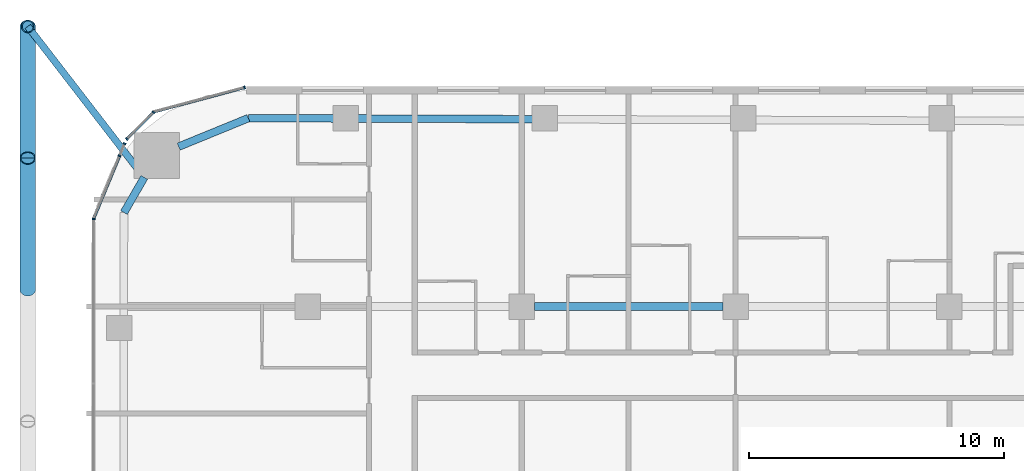
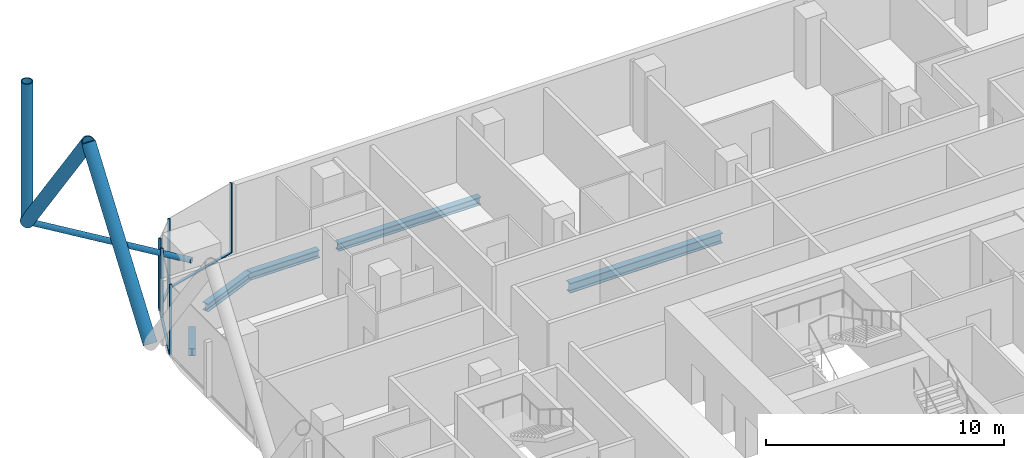
# One storey, part 10 of 35: 13 members, 5 beams, 5 elements without a shape of their own.
"""IFC4 building model written with IfcOpenShell, lengths in metres."""

from ifc_helpers import new_model, si_unit, direction, frame, origin, origin_2d, place, context, subcontext, project, spatial, rectangle, hollow_circle, i_section, extrude, material, layer, layer_set, material_profile, profile_set, type_object, element, aggregate, save


model = new_model("IFC4")

# Units and contexts
model_context = context("Model", 3, precision=1e-05, world=origin(), true_north=direction((0.0, 1.0)))
body_context = subcontext(model_context, "Body", "Model", "MODEL_VIEW")
ifc_project = project(units=[si_unit("LENGTHUNIT", "METRE"), si_unit("AREAUNIT", "SQUARE_METRE"), si_unit("VOLUMEUNIT", "CUBIC_METRE"), si_unit("PLANEANGLEUNIT", "RADIAN"), si_unit("MASSUNIT", "GRAM", prefix="KILO")], contexts=[model_context])

# Site, building, storey
site_placement = place(None, origin())
site = spatial("IfcSite", under=ifc_project, at=site_placement, CompositionType="ELEMENT")
building_placement = place(site_placement, origin())
building = spatial("IfcBuilding", under=site, at=building_placement, Name="Marenta Gate Hotel Tower", CompositionType="ELEMENT")
storey_placement = place(building_placement, frame((0.0, 0.0, 61.699951171875)))
storey = spatial("IfcBuildingStorey", under=building, at=storey_placement, Name="L13", CompositionType="ELEMENT", Elevation=61.699951171875)

# Members
ifc_material_1 = material(Name="Steel S355J2W", Category="steel")
ifc_material_profile_1 = material_profile(ifc_material_1, hollow_circle(Radius=0.25390625, WallThickness=0.0400390625, at=origin_2d()), Name="CHS 508x40")
ifc_profile_set_1 = profile_set([ifc_material_profile_1], Name="Steel S355J2W")
member_type_1 = type_object("IfcMemberType", Name="Diagrid corner post Z1 CHS 508x40", PredefinedType="POST", material=ifc_profile_set_1)
member_1_placement = place(storey_placement, frame((-32.0, 36.199951171875, 3.14013671875), z_axis=(0.0, 0.0, 1.0), x_axis=(1.0, 0.0, 0.0)))
element("IfcMember", 1, at=member_1_placement, inside=storey, type_object=member_type_1, Name="L13-DR-6", PredefinedType="POST", context=body_context, shape_type="SweptSolid", body=[
    extrude(hollow_circle(Radius=0.25390625, WallThickness=0.0400390625, at=origin_2d()), origin(), (0.0, 0.0, 1.0), 7.199951171875),
])
ifc_material_2 = material(Name="Steel S355J2W", Category="steel")
ifc_material_profile_2 = material_profile(ifc_material_2, hollow_circle(Radius=0.304931640625, WallThickness=0.0400390625, at=origin_2d()), Name="CHS 610x40")
ifc_profile_set_2 = profile_set([ifc_material_profile_2], Name="Steel S355J2W")
member_type_2 = type_object("IfcMemberType", Name="Diagrid diagonal Z1 CHS 610x40", PredefinedType="BRACE", material=ifc_profile_set_2)
for number, where, z_axis, x_axis, name in (
    (2, (-32.0, 25.860107421875, 3.14013671875), (0.0, 0.583260841117, 0.812284919975), (-1.0, 0.0, 0.0), "L13-DG-33"),
    (3, (-32.0, 36.199951171875, 3.14013671875), (0.0, -0.583260841117, 0.812284919975), (1.0, 0.0, 0.0), "L13-DG-34"),
):
    element("IfcMember", number, at=place(storey_placement, frame(where, z_axis=z_axis, x_axis=x_axis)), inside=storey, type_object=member_type_2, Name=name, PredefinedType="BRACE", context=body_context, shape_type="SweptSolid", body=[
        extrude(hollow_circle(Radius=0.304931640625, WallThickness=0.0400390625, at=origin_2d()), origin(), (0.0, 0.0, 1.0), 8.86376953125),
    ])

# Beams
ifc_material_3 = material(Name="Steel S355", Category="steel")
ifc_material_profile_3 = material_profile(ifc_material_3, i_section(OverallWidth=0.300048828125, OverallDepth=0.39990234375, WebThickness=0.013427734375, FlangeThickness=0.02392578125, FilletRadius=0.027099609375, at=origin_2d()), Name="HEB 400")
ifc_profile_set_3 = profile_set([ifc_material_profile_3], Name="Steel S355")
beam_type_1 = type_object("IfcBeamType", Name="Edge beam HEB 400", PredefinedType="SPANDREL", material=ifc_profile_set_3)
beam_1_placement = place(storey_placement, frame((-28.221435546875, 28.891845703125, -0.4599609375), z_axis=(0.500098681536, 0.865968422476, 0.0), x_axis=(-0.865968422476, 0.500098681536, 0.0)))
element("IfcBeam", 4, at=beam_1_placement, inside=storey, type_object=beam_type_1, Name="L13-EB-11", PredefinedType="SPANDREL", context=body_context, shape_type="SweptSolid", body=[
    extrude(i_section(OverallWidth=0.300048828125, OverallDepth=0.39990234375, WebThickness=0.013427734375, FlangeThickness=0.02392578125, FilletRadius=0.027099609375, at=origin_2d()), origin(), (0.0, 0.0, 1.0), 1.591552734375),
])
beam_2_placement = place(storey_placement, frame((-26.072509765625, 31.47998046875, -0.4599609375), z_axis=(0.925545641603, 0.378636059177, 0.0), x_axis=(-0.378636059177, 0.925545641603, 0.0)))
element("IfcBeam", 5, at=beam_2_placement, inside=storey, type_object=beam_type_1, Name="L13-EB-12", PredefinedType="SPANDREL", context=body_context, shape_type="SweptSolid", body=[
    extrude(i_section(OverallWidth=0.300048828125, OverallDepth=0.39990234375, WebThickness=0.013427734375, FlangeThickness=0.02392578125, FilletRadius=0.027099609375, at=origin_2d()), origin(), (0.0, 0.0, 1.0), 2.958251953125),
])
beam_3_placement = place(storey_placement, frame((-23.33447265625, 32.60009765625, -0.4599609375), z_axis=(0.999992894549, -0.00376972818, 0.0), x_axis=(0.00376972818, 0.999992894549, 0.0)))
element("IfcBeam", 6, at=beam_3_placement, inside=storey, type_object=beam_type_1, Name="L13-EB-13", PredefinedType="SPANDREL", context=body_context, shape_type="SweptSolid", body=[
    extrude(i_section(OverallWidth=0.300048828125, OverallDepth=0.39990234375, WebThickness=0.013427734375, FlangeThickness=0.02392578125, FilletRadius=0.027099609375, at=origin_2d()), origin(), (0.0, 0.0, 1.0), 3.36767578125),
])
beam_4_placement = place(storey_placement, frame((-19.046875, 32.583984375, -0.4599609375), z_axis=(0.999993064268, -0.003724435008, 0.0), x_axis=(0.003724435008, 0.999993064268, 0.0)))
element("IfcBeam", 7, at=beam_4_placement, inside=storey, type_object=beam_type_1, Name="L13-EB-14", PredefinedType="SPANDREL", context=body_context, shape_type="SweptSolid", body=[
    extrude(i_section(OverallWidth=0.300048828125, OverallDepth=0.39990234375, WebThickness=0.013427734375, FlangeThickness=0.02392578125, FilletRadius=0.027099609375, at=origin_2d()), origin(), (0.0, 0.0, 1.0), 6.8828125),
])

# Member
ifc_material_4 = material(Name="Steel S355J2W", Category="steel")
ifc_material_profile_4 = material_profile(ifc_material_4, hollow_circle(Radius=0.136474609375, WallThickness=0.012451171875, at=origin_2d()), Name="CHS 273x12.5")
ifc_profile_set_4 = profile_set([ifc_material_profile_4], Name="Steel S355J2W")
member_type_3 = type_object("IfcMemberType", Name="Floor tie CHS 273x12.5", PredefinedType="STRUT", material=ifc_profile_set_4)
member_2_placement = place(storey_placement, frame((-32.0, 36.199951171875, 3.14013671875), z_axis=(0.610809299032, -0.791777746729, 0.0), x_axis=(0.791777746729, 0.610809299032, 0.0)))
element("IfcMember", 8, at=member_2_placement, inside=storey, type_object=member_type_3, Name="L13-DR-12", PredefinedType="STRUT", context=body_context, shape_type="SweptSolid", body=[
    extrude(hollow_circle(Radius=0.136474609375, WallThickness=0.012451171875, at=origin_2d()), origin(), (0.0, 0.0, 1.0), 7.48193359375),
])

# Beam
ifc_material_5 = material(Name="Steel S355", Category="steel")
ifc_material_profile_5 = material_profile(ifc_material_5, i_section(OverallWidth=0.300048828125, OverallDepth=0.5, WebThickness=0.014404296875, FlangeThickness=0.028076171875, FilletRadius=0.027099609375, at=origin_2d()), Name="HEB 500")
ifc_profile_set_5 = profile_set([ifc_material_profile_5], Name="Steel S355")
beam_type_2 = type_object("IfcBeamType", Name="Girder HEB 500", PredefinedType="BEAM", material=ifc_profile_set_5)
beam_5_placement = place(storey_placement, frame((-12.10009765625, 25.199951171875, -0.510009765625), z_axis=(1.0, 0.0, 0.0), x_axis=(0.0, 1.0, 0.0)))
element("IfcBeam", 9, at=beam_5_placement, inside=storey, type_object=beam_type_2, Name="L13-GD-24", PredefinedType="BEAM", context=body_context, shape_type="SweptSolid", body=[
    extrude(i_section(OverallWidth=0.300048828125, OverallDepth=0.5, WebThickness=0.014404296875, FlangeThickness=0.028076171875, FilletRadius=0.027099609375, at=origin_2d()), origin(), (0.0, 0.0, 1.0), 7.400146484375),
])

# Curtain wall, member
ifc_material_6 = material(Name="Tinted insulated glass in bronze anodised frame", Category="glass")
ifc_layer = layer(ifc_material_6, 0.1201171875)
ifc_layer_set = layer_set([ifc_layer], Name="Tinted insulated glass in bronze anodised frame")
curtain_wall_type = type_object("IfcCurtainWallType", Name="Tower unitised curtain wall CW1", PredefinedType="NOTDEFINED", material=ifc_layer_set)
curtain_wall_1_placement = place(storey_placement, origin())
curtain_wall_1 = element("IfcCurtainWall", 10, at=curtain_wall_1_placement, inside=storey, type_object=curtain_wall_type, Name="CW1 run G00", PredefinedType="NOTDEFINED")
ifc_material_7 = material(Name="Bronze anodised aluminium", Category="aluminium")
ifc_material_profile_6 = material_profile(ifc_material_7, rectangle(XDim=0.1201171875, YDim=0.06005859375, at=origin_2d()), Name="Mullion CW1 60x120 bronze anodised aluminium")
ifc_profile_set_6 = profile_set([ifc_material_profile_6], Name="Bronze anodised aluminium")
member_type_4 = type_object("IfcMemberType", Name="Mullion CW1 60x120 bronze anodised aluminium", PredefinedType="MULLION", material=ifc_profile_set_6)
member_3_placement = place(storey_placement, frame((-23.485595703125, 33.80322265625, 0.0), z_axis=(0.0, 0.0, 1.0), x_axis=(0.258801657317, -0.965930485164, 0.0)))
member_3 = element("IfcMember", 11, at=member_3_placement, type_object=member_type_4, Name="CW1 mullion 1", PredefinedType="MULLION", context=body_context, shape_type="SweptSolid", body=[
    extrude(rectangle(XDim=0.1201171875, YDim=0.06005859375, at=origin_2d()), origin(), (0.0, 0.0, 1.0), 3.60009765625),
])

# Curtain wall, members
curtain_wall_2_placement = place(storey_placement, origin())
curtain_wall_2 = element("IfcCurtainWall", 12, at=curtain_wall_2_placement, inside=storey, type_object=curtain_wall_type, Name="CW1 run G01", PredefinedType="NOTDEFINED")
member_4_placement = place(storey_placement, frame((-27.06103515625, 32.82958984375, 0.0), z_axis=(0.0, 0.0, 1.0), x_axis=(0.707106781187, -0.707106781187, 0.0)))
member_4 = element("IfcMember", 13, at=member_4_placement, type_object=member_type_4, Name="CW1 mullion 1", PredefinedType="MULLION", context=body_context, shape_type="SweptSolid", body=[
    extrude(rectangle(XDim=0.1201171875, YDim=0.06005859375, at=origin_2d()), origin(), (0.0, 0.0, 1.0), 3.60009765625),
])
member_5_placement = place(storey_placement, frame((-28.109619140625, 31.781005859375, 0.0), z_axis=(0.0, 0.0, 1.0), x_axis=(0.707106781187, -0.707106781187, 0.0)))
member_5 = element("IfcMember", 14, at=member_5_placement, type_object=member_type_4, Name="CW1 mullion 2", PredefinedType="MULLION", context=body_context, shape_type="SweptSolid", body=[
    extrude(rectangle(XDim=0.1201171875, YDim=0.06005859375, at=origin_2d()), origin(), (0.0, 0.0, 1.0), 3.60009765625),
])

# Curtain wall, member
curtain_wall_3_placement = place(storey_placement, origin())
curtain_wall_3 = element("IfcCurtainWall", 15, at=curtain_wall_3_placement, inside=storey, type_object=curtain_wall_type, Name="CW1 run G02", PredefinedType="NOTDEFINED")
member_6_placement = place(storey_placement, frame((-28.197509765625, 31.59912109375, 0.0), z_axis=(0.0, 0.0, 1.0), x_axis=(0.923879170538, -0.382684306245, 0.0)))
member_6 = element("IfcMember", 16, at=member_6_placement, type_object=member_type_4, Name="CW1 mullion 1", PredefinedType="MULLION", context=body_context, shape_type="SweptSolid", body=[
    extrude(rectangle(XDim=0.1201171875, YDim=0.06005859375, at=origin_2d()), origin(), (0.0, 0.0, 1.0), 3.00048828125),
])
aggregate(curtain_wall_3, [member_6])

curtain_wall_4_placement = place(storey_placement, origin())
curtain_wall_4 = element("IfcCurtainWall", 17, at=curtain_wall_4_placement, inside=storey, type_object=curtain_wall_type, Name="CW1 run G03", PredefinedType="NOTDEFINED")
member_7_placement = place(storey_placement, frame((-28.3974609375, 31.116455078125, 0.0), z_axis=(0.0, 0.0, 1.0), x_axis=(0.923882327998, -0.382676683393, 0.0)))
member_7 = element("IfcMember", 18, at=member_7_placement, type_object=member_type_4, Name="CW1 mullion 1", PredefinedType="MULLION", context=body_context, shape_type="SweptSolid", body=[
    extrude(rectangle(XDim=0.1201171875, YDim=0.06005859375, at=origin_2d()), origin(), (0.0, 0.0, 1.0), 3.60009765625),
])

curtain_wall_5_placement = place(storey_placement, origin())
curtain_wall_5 = element("IfcCurtainWall", 19, at=curtain_wall_5_placement, inside=storey, type_object=curtain_wall_type, Name="CW1 run G04", PredefinedType="NOTDEFINED")
member_8_placement = place(storey_placement, frame((-29.412353515625, 28.63623046875, 0.0), z_axis=(0.0, 0.0, 1.0), x_axis=(0.99999877316, -0.00156642217, 0.0)))
member_8 = element("IfcMember", 20, at=member_8_placement, type_object=member_type_4, Name="CW1 mullion 1", PredefinedType="MULLION", context=body_context, shape_type="SweptSolid", body=[
    extrude(rectangle(XDim=0.1201171875, YDim=0.06005859375, at=origin_2d()), origin(), (0.0, 0.0, 1.0), 3.60009765625),
])
aggregate(curtain_wall_5, [member_8])

# Member
ifc_material_8 = material(Name="Bronze anodised aluminium", Category="aluminium")
ifc_material_profile_7 = material_profile(ifc_material_8, rectangle(XDim=0.1201171875, YDim=0.06005859375, at=origin_2d()), Name="Transom CW1 60x120 bronze anodised aluminium")
ifc_profile_set_7 = profile_set([ifc_material_profile_7], Name="Bronze anodised aluminium")
member_type_5 = type_object("IfcMemberType", Name="Transom CW1 60x120 bronze anodised aluminium", PredefinedType="USERDEFINED", material=ifc_profile_set_7)
member_9_placement = place(storey_placement, frame((-23.514404296875, 33.79541015625, 0.030029296875), z_axis=(-0.965928942389, -0.258807415381, 0.0), x_axis=(0.258807415381, -0.965928942389, 0.0)))
member_9 = element("IfcMember", 21, at=member_9_placement, type_object=member_type_5, Name="CW1 transom 1.1", ObjectType="TRANSOM", PredefinedType="USERDEFINED", context=body_context, shape_type="SweptSolid", body=[
    extrude(rectangle(XDim=0.1201171875, YDim=0.06005859375, at=origin_2d()), origin(), (0.0, 0.0, 1.0), 3.649658203125),
])

aggregate(curtain_wall_1, [member_3, member_9])

member_10_placement = place(storey_placement, frame((-27.082275390625, 32.80859375, 0.030029296875), z_axis=(-0.707020993286, -0.707192558681, 0.0), x_axis=(0.707192558681, -0.707020993286, 0.0)))
member_10 = element("IfcMember", 22, at=member_10_placement, type_object=member_type_5, Name="CW1 transom 1.1", ObjectType="TRANSOM", PredefinedType="USERDEFINED", context=body_context, shape_type="SweptSolid", body=[
    extrude(rectangle(XDim=0.1201171875, YDim=0.06005859375, at=origin_2d()), origin(), (0.0, 0.0, 1.0), 1.423095703125),
])

aggregate(curtain_wall_2, [member_4, member_5, member_10])

member_11_placement = place(storey_placement, frame((-28.408935546875, 31.0888671875, 0.030029296875), z_axis=(-0.382664265596, -0.923887471414, 0.0), x_axis=(0.923887471414, -0.382664265596, 0.0)))
member_11 = element("IfcMember", 23, at=member_11_placement, type_object=member_type_5, Name="CW1 transom 1.1", ObjectType="TRANSOM", PredefinedType="USERDEFINED", context=body_context, shape_type="SweptSolid", body=[
    extrude(rectangle(XDim=0.1201171875, YDim=0.06005859375, at=origin_2d()), origin(), (0.0, 0.0, 1.0), 2.6220703125),
])

aggregate(curtain_wall_4, [member_7, member_11])

save(model, "model.ifc")
